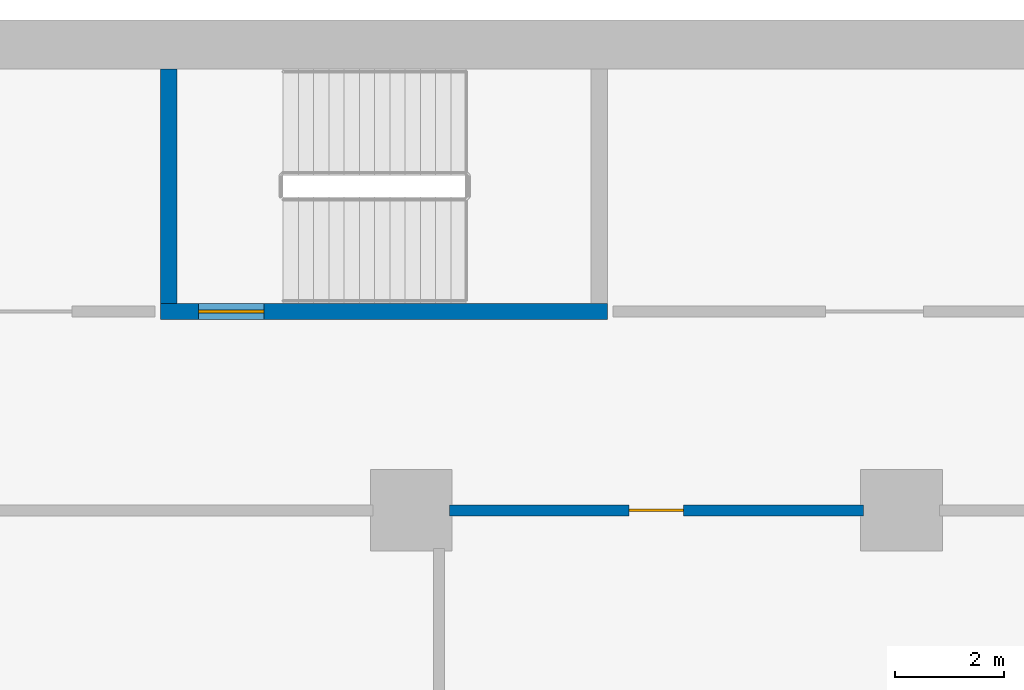
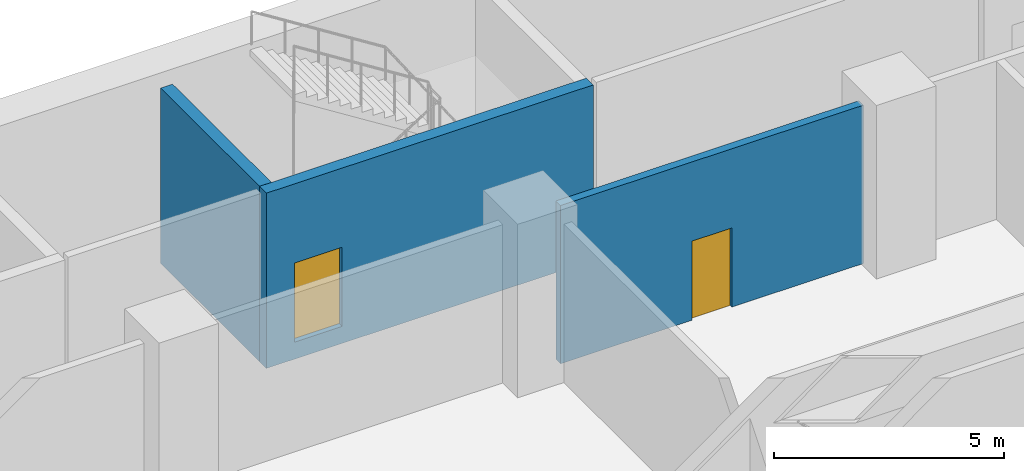
# One storey, part 17 of 31: 3 walls, 2 doors, 2 openings.
"""IFC4 building model written with IfcOpenShell, lengths in metres."""

from ifc_helpers import new_model, si_unit, direction, frame, frame_2d, origin, place, context, subcontext, project, spatial, rectangle, extrude, material, layer, layer_set, type_object, element, fill, save


model = new_model("IFC4")

# Units and contexts
model_context = context("Model", 3, precision=1e-05, world=origin(), true_north=direction((0.0, 1.0)))
body_context = subcontext(model_context, "Body", "Model", "MODEL_VIEW")
ifc_project = project(units=[si_unit("LENGTHUNIT", "METRE"), si_unit("AREAUNIT", "SQUARE_METRE"), si_unit("VOLUMEUNIT", "CUBIC_METRE"), si_unit("PLANEANGLEUNIT", "RADIAN"), si_unit("MASSUNIT", "GRAM", prefix="KILO")], contexts=[model_context])

# Site, building, storey
site_placement = place(None, origin())
site = spatial("IfcSite", under=ifc_project, at=site_placement, CompositionType="ELEMENT")
building_placement = place(site_placement, origin())
building = spatial("IfcBuilding", under=site, at=building_placement, Name="Hunhe Ridgeline Campus", CompositionType="ELEMENT")
storey_placement = place(building_placement, frame((0.0, 0.0, 31.199951171875)))
storey = spatial("IfcBuildingStorey", under=building, at=storey_placement, Name="L06", CompositionType="ELEMENT", Elevation=31.199951171875)

# Wall, opening, door
ifc_material_1 = material(Name="Gypsum board partition")
ifc_layer_1 = layer(ifc_material_1, 0.199951171875)
ifc_layer_set_1 = layer_set([ifc_layer_1], Name="Corridor partition 200 gypsum board on steel studs")
wall_type_1 = type_object("IfcWallType", Name="Corridor partition 200 gypsum board on steel studs", PredefinedType="PARTITIONING", material=ifc_layer_set_1)
wall_1_placement = place(storey_placement, frame((62.300048828125, 90.0, 0.0), z_axis=(0.0, 0.0, 1.0), x_axis=(-1.0, 0.0, 0.0)))
wall_1 = element("IfcWall", 1, at=wall_1_placement, inside=storey, type_object=wall_type_1, Name="F-L06-wall-047", PredefinedType="PARTITIONING", context=body_context, shape_type="SweptSolid", body=[
    extrude(rectangle(XDim=7.60009765625, YDim=0.199951171875, at=frame_2d((3.800048828125, 0.0))), origin(), (0.0, 0.0, 1.0), 4.199951171875),
])
opening_1_placement = place(wall_1_placement, frame((3.300048828125, 0.0, 0.0)))
opening_1 = element("IfcOpeningElement", 2, at=opening_1_placement, cuts=wall_1, Name="Opening RD1-042", PredefinedType="OPENING", context=body_context, shape_type="SweptSolid", body=[
    extrude(rectangle(XDim=1.0, YDim=2.10009765625, at=frame_2d((0.5, 1.050048828125))), frame((0.0, 0.10009765625, 0.0), z_axis=(0.0, -1.0, 0.0), x_axis=(1.0, 0.0, 0.0)), (0.0, 0.0, 1.0), 0.199951171875),
])
ifc_material_2 = material(Name="Timber door leaf", Category="wood")
door_type_1 = type_object("IfcDoorType", Name="Single fire door 1000x2100 timber FD60", OperationType="NOTDEFINED", PredefinedType="DOOR", material=ifc_material_2)
door_1_placement = place(opening_1_placement, frame((1.0, 0.0, 0.0), z_axis=(0.0, 0.0, 1.0), x_axis=(-1.0, 0.0, 0.0)))
door_1 = element("IfcDoor", 3, at=door_1_placement, inside=storey, type_object=door_type_1, Name="F-L06-door-042", OperationType="SINGLE_SWING_RIGHT", OverallHeight=2.10009765625, OverallWidth=1.0, PredefinedType="DOOR", context=body_context, shape_type="SweptSolid", body=[
    extrude(rectangle(XDim=1.0, YDim=2.10009765625, at=frame_2d((0.5, 1.050048828125))), frame((0.0, 0.02490234375, 0.0), z_axis=(0.0, -1.0, 0.0), x_axis=(1.0, 0.0, 0.0)), (0.0, 0.0, 1.0), 0.050048828125),
])
fill(opening_1, door_1)

ifc_material_3 = material(Name="Concrete C80", Category="concrete")
ifc_layer_2 = layer(ifc_material_3, 0.300048828125)
ifc_layer_set_2 = layer_set([ifc_layer_2], Name="Stair wall 300 reinforced concrete C80")
wall_type_2 = type_object("IfcWallType", Name="Stair wall 300 reinforced concrete C80", PredefinedType="SOLIDWALL", material=ifc_layer_set_2)
wall_2_placement = place(storey_placement, frame((49.39990234375, 93.64990234375, -0.449951171875), z_axis=(0.0, 0.0, 1.0), x_axis=(1.0, 0.0, 0.0)))
wall_2 = element("IfcWall", 4, at=wall_2_placement, inside=storey, type_object=wall_type_2, Name="L06 core wall 33", PredefinedType="SOLIDWALL", context=body_context, shape_type="SweptSolid", body=[
    extrude(rectangle(XDim=8.2001953125, YDim=0.300048828125, at=frame_2d((4.10009765625, 0.0))), origin(), (0.0, 0.0, 1.0), 4.64990234375),
])
opening_2_placement = place(wall_2_placement, frame((0.699951171875, 0.0, 0.449951171875)))
opening_2 = element("IfcOpeningElement", 5, at=opening_2_placement, cuts=wall_2, Name="Opening CD18", PredefinedType="OPENING", context=body_context, shape_type="SweptSolid", body=[
    extrude(rectangle(XDim=1.199951171875, YDim=2.10009765625, at=frame_2d((0.60009765625, 1.050048828125))), frame((0.0, 0.14990234375, 0.0), z_axis=(0.0, -1.0, 0.0), x_axis=(1.0, 0.0, 0.0)), (0.0, 0.0, 1.0), 0.300048828125),
])
ifc_material_4 = material(Name="Hollow metal fire door leaf")
door_type_2 = type_object("IfcDoorType", Name="Stair door 1200x2100 FD60", OperationType="SINGLE_SWING_LEFT", PredefinedType="DOOR", material=ifc_material_4)
door_2_placement = place(opening_2_placement, frame((1.199951171875, 0.0, 0.0), z_axis=(0.0, 0.0, 1.0), x_axis=(-1.0, 0.0, 0.0)))
door_2 = element("IfcDoor", 6, at=door_2_placement, inside=storey, type_object=door_type_2, Name="L06 door E2", OperationType="SINGLE_SWING_LEFT", OverallHeight=2.10009765625, OverallWidth=1.199951171875, PredefinedType="DOOR", context=body_context, shape_type="SweptSolid", body=[
    extrude(rectangle(XDim=1.199951171875, YDim=2.10009765625, at=frame_2d((0.60009765625, 1.050048828125))), frame((0.0, 0.02490234375, 0.0), z_axis=(0.0, -1.0, 0.0), x_axis=(1.0, 0.0, 0.0)), (0.0, 0.0, 1.0), 0.050048828125),
])
fill(opening_2, door_2)

# Wall
wall_3_placement = place(storey_placement, frame((49.550048828125, 93.800048828125, -0.449951171875), z_axis=(0.0, 0.0, 1.0), x_axis=(0.0, 1.0, 0.0)))
element("IfcWall", 7, at=wall_3_placement, inside=storey, type_object=wall_type_2, Name="L06 core wall 67", PredefinedType="SOLIDWALL", context=body_context, shape_type="SweptSolid", body=[
    extrude(rectangle(XDim=4.300048828125, YDim=0.300048828125, at=frame_2d((2.14990234375, 0.0))), origin(), (0.0, 0.0, 1.0), 4.64990234375),
])

save(model, "model.ifc")
